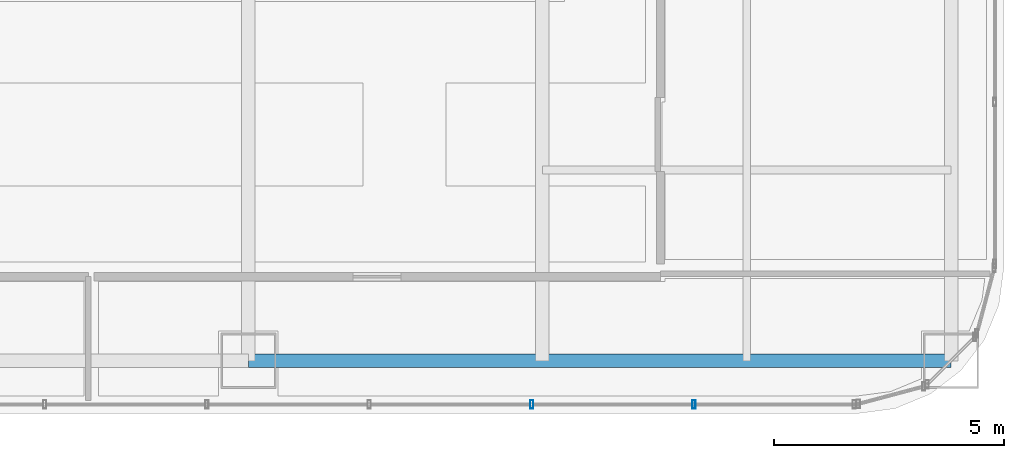
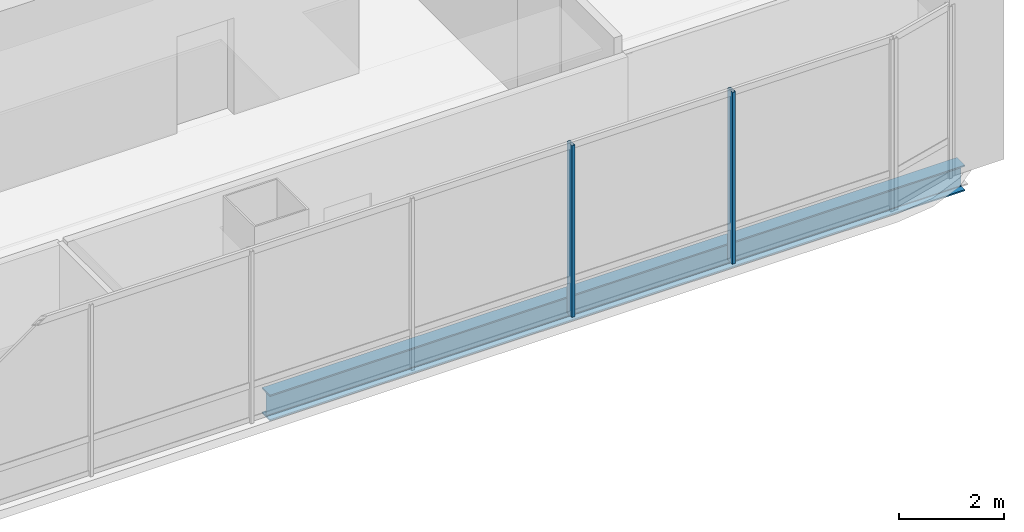
# One storey, part 15 of 41: 2 members, 1 beam, 1 element without a shape of its own.
"""IFC4 building model written with IfcOpenShell, lengths in metres."""

import ifcopenshell
import ifcopenshell.guid

model = None  # the IFC model being written
_history = None  # IfcOwnerHistory: only IFC2X3 demands one
_inside = {}  # id of a spatial element -> (the spatial element, [elements in it])
_under = {}  # id of a project, library or spatial element -> (it, [spatial elements below it])
_declared = {}  # id of a project -> (the project, [libraries it declares])
_typed = {}  # id of a type object -> (the type object, [elements of that type])
_made_of = {}  # id of a material, layer set ... -> (it, [elements and type objects made of it])


def new_model(schema):
    """Start an empty IFC model of exactly this schema.

    Asked for "IFC4X3", IfcOpenShell would pick the latest addendum, in which some entities
    have other attributes; the version numbers below select the first issue.
    IFC2X3 requires an IfcOwnerHistory on every rooted entity: one is made here for all.
    """
    global model, _history
    if schema == "IFC4X3":
        model = ifcopenshell.file(schema_version=(4, 3, 0, 0))
    else:
        model = ifcopenshell.file(schema=schema)
    _inside.clear()
    _under.clear()
    _declared.clear()
    _typed.clear()
    _made_of.clear()
    _history = None
    if model.schema == "IFC2X3":
        org = make("IfcOrganization", Name="unknown")
        user = make(
            "IfcPersonAndOrganization",
            ThePerson=make("IfcPerson", FamilyName="unknown"),
            TheOrganization=org,
        )
        app = make(
            "IfcApplication",
            ApplicationDeveloper=org,
            Version="unknown",
            ApplicationFullName="unknown",
            ApplicationIdentifier="unknown",
        )
        _history = make(
            "IfcOwnerHistory",
            OwningUser=user,
            OwningApplication=app,
            ChangeAction="ADDED",
            CreationDate=0,
        )
    return model


def make(cls, **values):
    """One entity of the class cls with the attributes given. An attribute that is None is left unset."""
    return model.create_entity(
        cls, **{name: value for name, value in values.items() if value is not None}
    )


def rooted(cls, **values):
    """An entity with a GlobalId (a new one), such as an element, a storey or a relation."""
    return make(cls, GlobalId=ifcopenshell.guid.new(), OwnerHistory=_history, **values)


def si_unit(unit_type, name, prefix=None):
    """IfcSIUnit, for example si_unit("LENGTHUNIT", "METRE", prefix="MILLI")."""
    return make("IfcSIUnit", UnitType=unit_type, Prefix=prefix, Name=name)


def assignment(units):
    """IfcUnitAssignment: the units of a project."""
    return None if units is None else make("IfcUnitAssignment", Units=units)


def point(xyz):
    """IfcCartesianPoint."""
    return None if xyz is None else make("IfcCartesianPoint", Coordinates=xyz)


def direction(xyz):
    """IfcDirection."""
    return None if xyz is None else make("IfcDirection", DirectionRatios=xyz)


def frame(location, z_axis=None, x_axis=None):
    """IfcAxis2Placement3D, a coordinate frame: its origin and axes. An axis left out is left unset."""
    return make(
        "IfcAxis2Placement3D",
        Location=point(location),
        Axis=direction(z_axis),
        RefDirection=direction(x_axis),
    )


def frame_2d(location, x_axis=None):
    """IfcAxis2Placement2D, a coordinate frame in the plane: its origin and x axis."""
    return make(
        "IfcAxis2Placement2D", Location=point(location), RefDirection=direction(x_axis)
    )


def origin():
    """The frame at (0, 0, 0) with its axes left unset."""
    return frame((0.0, 0.0, 0.0))


def origin_2d():
    """The frame at (0, 0) in the plane with its x axis left unset."""
    return frame_2d((0.0, 0.0))


def place(relative_to, where):
    """IfcLocalPlacement: puts the frame where relative to a parent placement (None: the world)."""
    return make(
        "IfcLocalPlacement", PlacementRelTo=relative_to, RelativePlacement=where
    )


def context(
    kind, dimensions, precision=None, world=None, true_north=None, identifier=None
):
    """IfcGeometricRepresentationContext, for example the 3D "Model" context."""
    return make(
        "IfcGeometricRepresentationContext",
        ContextIdentifier=identifier,
        ContextType=kind,
        CoordinateSpaceDimension=dimensions,
        Precision=precision,
        WorldCoordinateSystem=world,
        TrueNorth=true_north,
    )


def subcontext(parent, identifier, kind, view, scale=None):
    """IfcGeometricRepresentationSubContext, for example "Body" below "Model"."""
    return make(
        "IfcGeometricRepresentationSubContext",
        ContextIdentifier=identifier,
        ContextType=kind,
        ParentContext=parent,
        TargetScale=scale,
        TargetView=view,
    )


def project(units=None, contexts=None):
    """IfcProject with its units and contexts."""
    return rooted(
        "IfcProject",
        Name="project",
        RepresentationContexts=contexts,
        UnitsInContext=assignment(units),
    )


def spatial(cls, under=None, at=None, **own):
    """A site, building, storey or space (cls), placed at a placement, below another one or the project."""
    s = rooted(cls, ObjectPlacement=at, **own)
    if under is not None:
        _under.setdefault(under.id(), (under, []))[1].append(s)
    return s


def profile(cls, at=None, kind="AREA", **sizes):
    """A parametric profile (cls). Its sizes go by their IFC names, for example OverallWidth=200.0."""
    return make(cls, ProfileType=kind, Position=at, **sizes)


def hollow_rectangle(**sizes):
    """IfcRectangleHollowProfileDef."""
    return profile("IfcRectangleHollowProfileDef", **sizes)


def i_section(**sizes):
    """IfcIShapeProfileDef."""
    return profile("IfcIShapeProfileDef", **sizes)


def extrude(swept, where, along, depth):
    """IfcExtrudedAreaSolid: the profile swept, set in the frame where, extruded along a direction by depth."""
    return make(
        "IfcExtrudedAreaSolid",
        SweptArea=swept,
        Position=where,
        ExtrudedDirection=direction(along),
        Depth=depth,
    )


def shape(context_of_items, identifier, shape_type, items):
    """IfcShapeRepresentation: the items that make up one representation, for example the "Body"."""
    return make(
        "IfcShapeRepresentation",
        ContextOfItems=context_of_items,
        RepresentationIdentifier=identifier,
        RepresentationType=shape_type,
        Items=items,
    )


def material(Name=None, Category=None):
    """IfcMaterial."""
    return make("IfcMaterial", Name=Name, Category=Category)


def material_profile(
    of_material, cross_section, Name=None, Category=None, Priority=None
):
    """IfcMaterialProfile: a cross section and its material."""
    return make(
        "IfcMaterialProfile",
        Name=Name,
        Material=of_material,
        Profile=cross_section,
        Priority=Priority,
        Category=Category,
    )


def profile_set(profiles, Name=None, composite=None):
    """IfcMaterialProfileSet."""
    return make(
        "IfcMaterialProfileSet",
        Name=Name,
        MaterialProfiles=profiles,
        CompositeProfile=composite,
    )


def made_of(thing, what):
    """Note that an element or type object is made of a material, layer set ...; save() writes the relation."""
    if what is not None:
        _made_of.setdefault(what.id(), (what, []))[1].append(thing)
    return thing


def type_object(cls, material=None, **own):
    """A type object (cls), such as IfcWallType, which elements share."""
    return made_of(rooted(cls, **own), material)


def element(
    cls,
    number,
    at=None,
    inside=None,
    cuts=None,
    type_object=None,
    material=None,
    context=None,
    identifier="Body",
    shape_type=None,
    held_by="IfcProductDefinitionShape",
    body=None,
    shapes=None,
    **own,
):
    """One element of the class cls, such as IfcWall. Its Tag is "e" and its number.

    at: its placement. inside: the storey or other place that contains it. cuts: it is an
    opening in that element (IfcRelVoidsElement). A single representation is given by context,
    identifier, shape_type and body (its items); several are given by shapes. held_by: the class
    of the entity that holds the representations. save() writes the other relations.
    """
    e = rooted(cls, Tag="e%d" % number, ObjectPlacement=at, **own)
    if body is not None:
        shapes = [shape(context, identifier, shape_type, body)]
    if shapes is not None:
        e.Representation = make(held_by, Representations=shapes)
    if inside is not None:
        _inside.setdefault(inside.id(), (inside, []))[1].append(e)
    if cuts is not None:
        rooted(
            "IfcRelVoidsElement", RelatingBuildingElement=cuts, RelatedOpeningElement=e
        )
    if type_object is not None:
        _typed.setdefault(type_object.id(), (type_object, []))[1].append(e)
    return made_of(e, material)


def aggregate(whole, parts):
    """IfcRelAggregates: a whole, such as a stair, and the parts it consists of."""
    return rooted("IfcRelAggregates", RelatingObject=whole, RelatedObjects=parts)


def save(model, path):
    """Write the relations noted so far, then the file.

    IfcRelAggregates (storeys below a building ...), IfcRelContainedInSpatialStructure (elements
    in a storey), IfcRelDefinesByType, IfcRelAssociatesMaterial and IfcRelDeclares: one each for
    every whole, place, type object, material and project.
    """
    for whole, parts in _under.values():
        aggregate(whole, parts)
    for where, things in _inside.values():
        rooted(
            "IfcRelContainedInSpatialStructure",
            RelatedElements=things,
            RelatingStructure=where,
        )
    for kind, things in _typed.values():
        rooted("IfcRelDefinesByType", RelatedObjects=things, RelatingType=kind)
    for what, things in _made_of.values():
        rooted("IfcRelAssociatesMaterial", RelatedObjects=things, RelatingMaterial=what)
    for by, libraries in _declared.values():
        rooted("IfcRelDeclares", RelatingContext=by, RelatedDefinitions=libraries)
    model.write(path)


model = new_model("IFC4")

# Units and contexts
model_context = context("Model", 3, precision=1e-05, world=origin(), true_north=direction((0.0, 1.0)))
body_context = subcontext(model_context, "Body", "Model", "MODEL_VIEW")
ifc_project = project(units=[si_unit("LENGTHUNIT", "METRE"), si_unit("AREAUNIT", "SQUARE_METRE"), si_unit("VOLUMEUNIT", "CUBIC_METRE"), si_unit("PLANEANGLEUNIT", "RADIAN"), si_unit("MASSUNIT", "GRAM", prefix="KILO")], contexts=[model_context])

# Site, building, storey
site_placement = place(None, origin())
site = spatial("IfcSite", under=ifc_project, at=site_placement, CompositionType="ELEMENT")
building_placement = place(site_placement, origin())
building = spatial("IfcBuilding", under=site, at=building_placement, Name="Punatoya Terracotta Tower", CompositionType="ELEMENT")
storey_placement = place(building_placement, frame((0.0, 0.0, 288.0)))
storey = spatial("IfcBuildingStorey", under=building, at=storey_placement, Name="L68", CompositionType="ELEMENT", Elevation=288.0)

# Beam
ifc_material_1 = material(Name="Steel S355", Category="steel")
ifc_material_profile_1 = material_profile(ifc_material_1, i_section(OverallWidth=0.300048828125, OverallDepth=0.60009765625, WebThickness=0.015380859375, FlangeThickness=0.030029296875, FilletRadius=0.01806640625, at=origin_2d()))
ifc_profile_set_1 = profile_set([ifc_material_profile_1], Name="Steel S355")
beam_type = type_object("IfcBeamType", Name="BM-PRI-600", PredefinedType="BEAM", material=ifc_profile_set_1)
beam_placement = place(storey_placement, frame((3.800048828125, -17.5, -0.5), z_axis=(1.0, 0.0, 0.0), x_axis=(0.0, 1.0, 0.0)))
element("IfcBeam", 1, at=beam_placement, inside=storey, type_object=beam_type, Name="BM-L68-RG-S3", PredefinedType="BEAM", context=body_context, shape_type="SweptSolid", body=[
    extrude(i_section(OverallWidth=0.300048828125, OverallDepth=0.60009765625, WebThickness=0.015380859375, FlangeThickness=0.030029296875, FilletRadius=0.01806640625, at=origin_2d()), origin(), (0.0, 0.0, 1.0), 15.300048828125),
])

# Curtain wall, members
ifc_material_2 = material(Name="Aluminium 6063-T6 + Double Low-E Glass", Category="aluminium")
curtain_wall_type = type_object("IfcCurtainWallType", Name="CW-M3", PredefinedType="NOTDEFINED", material=ifc_material_2)
curtain_wall_placement = place(storey_placement, origin())
curtain_wall = element("IfcCurtainWall", 2, at=curtain_wall_placement, inside=storey, type_object=curtain_wall_type, Name="L68 Curtain Wall CW-L68-S01-1", PredefinedType="NOTDEFINED")
ifc_material_3 = material(Name="Aluminium 6063-T6", Category="aluminium")
ifc_material_profile_2 = material_profile(ifc_material_3, hollow_rectangle(XDim=0.070068359375, YDim=0.179931640625, WallThickness=0.00390625, at=origin_2d()))
ifc_profile_set_2 = profile_set([ifc_material_profile_2], Name="Aluminium 6063-T6")
member_type = type_object("IfcMemberType", Name="CW-MUL-M3", PredefinedType="MULLION", material=ifc_profile_set_2)
member_1_placement = place(storey_placement, frame((9.968994140625, -18.449951171875, 0.0), z_axis=(0.0, 0.0, 1.0), x_axis=(1.0, 0.0, 0.0)))
member_1 = element("IfcMember", 3, at=member_1_placement, type_object=member_type, Name="CW-L68-S01-1 Mullion 09", PredefinedType="MULLION", context=body_context, shape_type="SweptSolid", body=[
    extrude(hollow_rectangle(XDim=0.070068359375, YDim=0.179931640625, WallThickness=0.00390625, at=origin_2d()), origin(), (0.0, 0.0, 1.0), 4.0),
])
member_2_placement = place(storey_placement, frame((13.5029296875, -18.449951171875, 0.0), z_axis=(0.0, 0.0, 1.0), x_axis=(1.0, 0.0, 0.0)))
member_2 = element("IfcMember", 4, at=member_2_placement, type_object=member_type, Name="CW-L68-S01-1 Mullion 10", PredefinedType="MULLION", context=body_context, shape_type="SweptSolid", body=[
    extrude(hollow_rectangle(XDim=0.070068359375, YDim=0.179931640625, WallThickness=0.00390625, at=origin_2d()), origin(), (0.0, 0.0, 1.0), 4.0),
])
aggregate(curtain_wall, [member_1, member_2])

save(model, "model.ifc")
